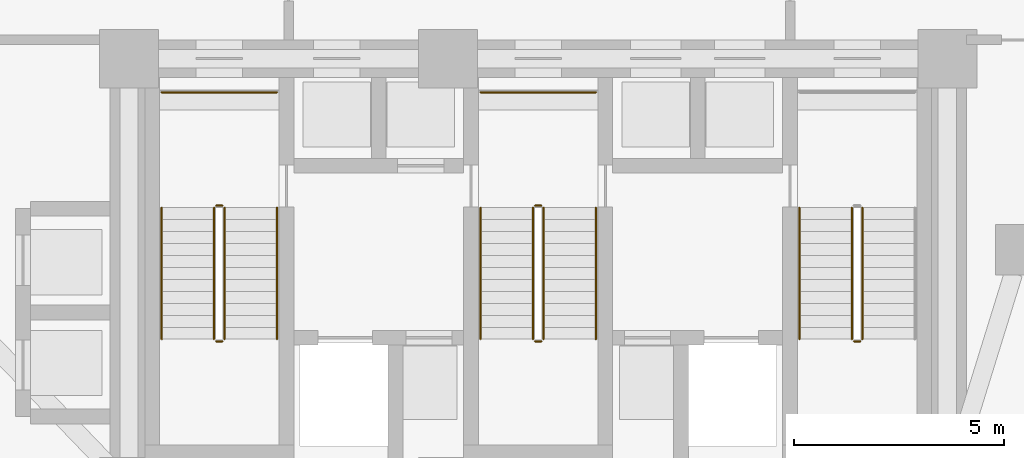
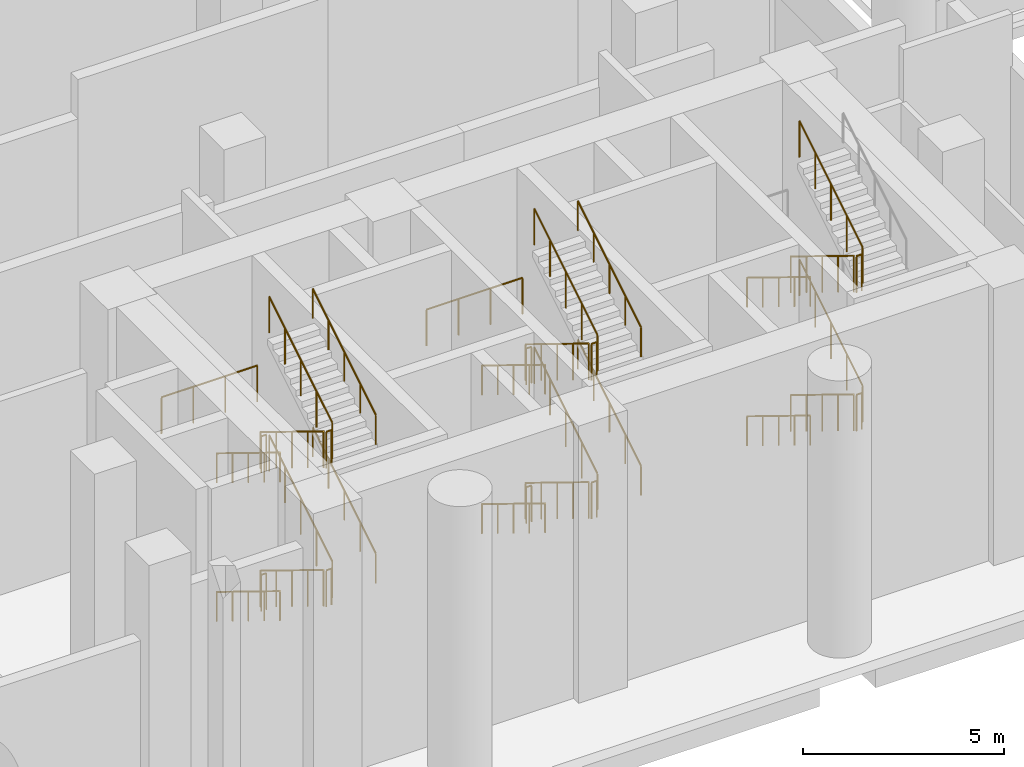
# One storey, part 9 of 12: 34 railings.
"""IFC4 building model written with IfcOpenShell, lengths in metres."""

from ifc_helpers import new_model, si_unit, direction, frame, origin, origin_2d, place, context, subcontext, project, spatial, circle, extrude, material, type_object, element, save


model = new_model("IFC4")

# Units and contexts
model_context = context("Model", 3, precision=1e-05, world=origin(), true_north=direction((0.0, 1.0)))
body_context = subcontext(model_context, "Body", "Model", "MODEL_VIEW")
ifc_project = project(units=[si_unit("LENGTHUNIT", "METRE"), si_unit("AREAUNIT", "SQUARE_METRE"), si_unit("VOLUMEUNIT", "CUBIC_METRE"), si_unit("PLANEANGLEUNIT", "RADIAN"), si_unit("MASSUNIT", "GRAM", prefix="KILO")], contexts=[model_context])

# Site, building, storey
site_placement = place(None, origin())
site = spatial("IfcSite", under=ifc_project, at=site_placement, CompositionType="ELEMENT")
building_placement = place(site_placement, origin())
building = spatial("IfcBuilding", under=site, at=building_placement, Name="Almagre Mirador Tower", CompositionType="ELEMENT")
storey_placement = place(building_placement, origin())
storey = spatial("IfcBuildingStorey", under=building, at=storey_placement, Name="L00", CompositionType="ELEMENT", Elevation=0.0)

# Railings
ifc_material_1 = material(Name="Painted galvanized steel", Category="steel")
railing_type_1 = type_object("IfcRailingType", Name="RLG-GRD-1100", PredefinedType="GUARDRAIL", material=ifc_material_1)
railing_1_placement = place(storey_placement, frame((29.574951171875, 11.199951171875, 0.175048828125)))
element("IfcRailing", 1, at=railing_1_placement, inside=storey, type_object=railing_type_1, Name="L00 ST-1 stair guard 1", PredefinedType="GUARDRAIL", context=body_context, shape_type="SweptSolid", body=[
    extrude(circle(Radius=0.02392578125, at=origin_2d()), frame((0.0, 0.0, 1.09619140625), z_axis=(0.0, -0.852166034122, 0.523271488128), x_axis=(1.0, 0.0, 0.0)), (0.0, 0.0, 1.0), 3.678955078125),
    extrude(circle(Radius=0.02099609375, at=origin_2d()), origin(), (0.0, 0.0, 1.0), 1.072021484375),
    extrude(circle(Radius=0.02099609375, at=origin_2d()), frame((0.0, -0.78369140625, 0.481201171875)), (0.0, 0.0, 1.0), 1.072021484375),
    extrude(circle(Radius=0.02099609375, at=origin_2d()), frame((0.0, -1.5673828125, 0.96240234375)), (0.0, 0.0, 1.0), 1.072021484375),
    extrude(circle(Radius=0.02099609375, at=origin_2d()), frame((0.0, -2.351318359375, 1.44384765625)), (0.0, 0.0, 1.0), 1.072021484375),
    extrude(circle(Radius=0.02099609375, at=origin_2d()), frame((0.0, -3.135009765625, 1.925048828125)), (0.0, 0.0, 1.0), 1.072021484375),
])
railing_2_placement = place(storey_placement, frame((29.625, 8.014892578125, 2.10009765625)))
element("IfcRailing", 2, at=railing_2_placement, inside=storey, type_object=railing_type_1, Name="L00 ST-1 stair guard 2", PredefinedType="GUARDRAIL", context=body_context, shape_type="SweptSolid", body=[
    extrude(circle(Radius=0.02392578125, at=origin_2d()), frame((0.0, 0.0, 1.09619140625), z_axis=(1.0, 0.0, 0.0), x_axis=(0.0, 1.0, 0.0)), (0.0, 0.0, 1.0), 0.14990234375),
    extrude(circle(Radius=0.02099609375, at=origin_2d()), origin(), (0.0, 0.0, 1.0), 1.072021484375),
    extrude(circle(Radius=0.02099609375, at=origin_2d()), frame((0.14990234375, 0.0, 0.0)), (0.0, 0.0, 1.0), 1.072021484375),
])
railing_3_placement = place(storey_placement, frame((29.824951171875, 8.06494140625, 2.27490234375)))
element("IfcRailing", 3, at=railing_3_placement, inside=storey, type_object=railing_type_1, Name="L00 ST-1 stair guard 3", PredefinedType="GUARDRAIL", context=body_context, shape_type="SweptSolid", body=[
    extrude(circle(Radius=0.02392578125, at=origin_2d()), frame((0.0, 0.0, 1.09619140625), z_axis=(0.0, 0.852166034122, 0.523271488128), x_axis=(-1.0, 0.0, 0.0)), (0.0, 0.0, 1.0), 3.678955078125),
    extrude(circle(Radius=0.02099609375, at=origin_2d()), origin(), (0.0, 0.0, 1.0), 1.072021484375),
    extrude(circle(Radius=0.02099609375, at=origin_2d()), frame((0.0, 0.78369140625, 0.481201171875)), (0.0, 0.0, 1.0), 1.072021484375),
    extrude(circle(Radius=0.02099609375, at=origin_2d()), frame((0.0, 1.5673828125, 0.96240234375)), (0.0, 0.0, 1.0), 1.072021484375),
    extrude(circle(Radius=0.02099609375, at=origin_2d()), frame((0.0, 2.351318359375, 1.44384765625)), (0.0, 0.0, 1.0), 1.072021484375),
    extrude(circle(Radius=0.02099609375, at=origin_2d()), frame((0.0, 3.135009765625, 1.925048828125)), (0.0, 0.0, 1.0), 1.072021484375),
])
railing_4_placement = place(storey_placement, frame((29.625, 11.25, 4.199951171875)))
element("IfcRailing", 4, at=railing_4_placement, inside=storey, type_object=railing_type_1, Name="L00 ST-1 stair guard 4", PredefinedType="GUARDRAIL", context=body_context, shape_type="SweptSolid", body=[
    extrude(circle(Radius=0.02392578125, at=origin_2d()), frame((0.0, 0.0, 1.09619140625), z_axis=(1.0, 0.0, 0.0), x_axis=(0.0, 1.0, 0.0)), (0.0, 0.0, 1.0), 0.14990234375),
    extrude(circle(Radius=0.02099609375, at=origin_2d()), origin(), (0.0, 0.0, 1.0), 1.072021484375),
    extrude(circle(Radius=0.02099609375, at=origin_2d()), frame((0.14990234375, 0.0, 0.0)), (0.0, 0.0, 1.0), 1.072021484375),
])
railing_5_placement = place(storey_placement, frame((29.574951171875, 11.199951171875, 4.375)))
element("IfcRailing", 5, at=railing_5_placement, inside=storey, type_object=railing_type_1, Name="L00 ST-1 stair guard 5", PredefinedType="GUARDRAIL", context=body_context, shape_type="SweptSolid", body=[
    extrude(circle(Radius=0.02392578125, at=origin_2d()), frame((0.0, 0.0, 1.09619140625), z_axis=(0.0, -0.852166034122, 0.523271488128), x_axis=(1.0, 0.0, 0.0)), (0.0, 0.0, 1.0), 3.678955078125),
    extrude(circle(Radius=0.02099609375, at=origin_2d()), origin(), (0.0, 0.0, 1.0), 1.072021484375),
    extrude(circle(Radius=0.02099609375, at=origin_2d()), frame((0.0, -0.78369140625, 0.481201171875)), (0.0, 0.0, 1.0), 1.072021484375),
    extrude(circle(Radius=0.02099609375, at=origin_2d()), frame((0.0, -1.5673828125, 0.96240234375)), (0.0, 0.0, 1.0), 1.072021484375),
    extrude(circle(Radius=0.02099609375, at=origin_2d()), frame((0.0, -2.351318359375, 1.44384765625)), (0.0, 0.0, 1.0), 1.072021484375),
    extrude(circle(Radius=0.02099609375, at=origin_2d()), frame((0.0, -3.135009765625, 1.925048828125)), (0.0, 0.0, 1.0), 1.072021484375),
])
railing_6_placement = place(storey_placement, frame((29.625, 8.014892578125, 6.300048828125)))
element("IfcRailing", 6, at=railing_6_placement, inside=storey, type_object=railing_type_1, Name="L00 ST-1 stair guard 6", PredefinedType="GUARDRAIL", context=body_context, shape_type="SweptSolid", body=[
    extrude(circle(Radius=0.02392578125, at=origin_2d()), frame((0.0, 0.0, 1.09619140625), z_axis=(1.0, 0.0, 0.0), x_axis=(0.0, 1.0, 0.0)), (0.0, 0.0, 1.0), 0.14990234375),
    extrude(circle(Radius=0.02099609375, at=origin_2d()), origin(), (0.0, 0.0, 1.0), 1.072021484375),
    extrude(circle(Radius=0.02099609375, at=origin_2d()), frame((0.14990234375, 0.0, 0.0)), (0.0, 0.0, 1.0), 1.072021484375),
])
railing_7_placement = place(storey_placement, frame((29.824951171875, 8.06494140625, 6.47509765625)))
element("IfcRailing", 7, at=railing_7_placement, inside=storey, type_object=railing_type_1, Name="L00 ST-1 stair guard 7", PredefinedType="GUARDRAIL", context=body_context, shape_type="SweptSolid", body=[
    extrude(circle(Radius=0.02392578125, at=origin_2d()), frame((0.0, 0.0, 1.09619140625), z_axis=(0.0, 0.852195625947, 0.523223293744), x_axis=(-1.0, 0.0, 0.0)), (0.0, 0.0, 1.0), 3.6787109375),
    extrude(circle(Radius=0.02099609375, at=origin_2d()), origin(), (0.0, 0.0, 1.0), 1.072021484375),
    extrude(circle(Radius=0.02099609375, at=origin_2d()), frame((0.0, 0.78369140625, 0.481201171875)), (0.0, 0.0, 1.0), 1.072021484375),
    extrude(circle(Radius=0.02099609375, at=origin_2d()), frame((0.0, 1.5673828125, 0.96240234375)), (0.0, 0.0, 1.0), 1.072021484375),
    extrude(circle(Radius=0.02099609375, at=origin_2d()), frame((0.0, 2.351318359375, 1.443603515625)), (0.0, 0.0, 1.0), 1.072021484375),
    extrude(circle(Radius=0.02099609375, at=origin_2d()), frame((0.0, 3.135009765625, 1.9248046875)), (0.0, 0.0, 1.0), 1.072021484375),
])
railing_8_placement = place(storey_placement, frame((29.625, 11.25, 0.0)))
element("IfcRailing", 8, at=railing_8_placement, inside=storey, type_object=railing_type_1, Name="L00 ST-1 stair guard 8", PredefinedType="GUARDRAIL", context=body_context, shape_type="SweptSolid", body=[
    extrude(circle(Radius=0.02392578125, at=origin_2d()), frame((0.0, 0.0, 1.09619140625), z_axis=(1.0, 0.0, 0.0), x_axis=(0.0, 1.0, 0.0)), (0.0, 0.0, 1.0), 0.14990234375),
    extrude(circle(Radius=0.02099609375, at=origin_2d()), origin(), (0.0, 0.0, 1.0), 1.072021484375),
    extrude(circle(Radius=0.02099609375, at=origin_2d()), frame((0.14990234375, 0.0, 0.0)), (0.0, 0.0, 1.0), 1.072021484375),
])
railing_9_placement = place(storey_placement, frame((28.324951171875, 13.949951171875, 4.199951171875)))
element("IfcRailing", 9, at=railing_9_placement, inside=storey, type_object=railing_type_1, Name="L00 ST-1 mid-landing slot guard 2", PredefinedType="GUARDRAIL", context=body_context, shape_type="SweptSolid", body=[
    extrude(circle(Radius=0.02392578125, at=origin_2d()), frame((0.0, 0.0, 1.09619140625), z_axis=(1.0, 0.0, 0.0), x_axis=(0.0, 1.0, 0.0)), (0.0, 0.0, 1.0), 2.75),
    extrude(circle(Radius=0.02099609375, at=origin_2d()), origin(), (0.0, 0.0, 1.0), 1.072021484375),
    extrude(circle(Radius=0.02099609375, at=origin_2d()), frame((0.916748046875, 0.0, 0.0)), (0.0, 0.0, 1.0), 1.072021484375),
    extrude(circle(Radius=0.02099609375, at=origin_2d()), frame((1.833251953125, 0.0, 0.0)), (0.0, 0.0, 1.0), 1.072021484375),
    extrude(circle(Radius=0.02099609375, at=origin_2d()), frame((2.75, 0.0, 0.0)), (0.0, 0.0, 1.0), 1.072021484375),
])
railing_10_placement = place(storey_placement, frame((37.175048828125, 11.199951171875, 0.175048828125)))
element("IfcRailing", 10, at=railing_10_placement, inside=storey, type_object=railing_type_1, Name="L00 ST-2 stair guard 1", PredefinedType="GUARDRAIL", context=body_context, shape_type="SweptSolid", body=[
    extrude(circle(Radius=0.02392578125, at=origin_2d()), frame((0.0, 0.0, 1.09619140625), z_axis=(0.0, -0.852166034122, 0.523271488128), x_axis=(1.0, 0.0, 0.0)), (0.0, 0.0, 1.0), 3.678955078125),
    extrude(circle(Radius=0.02099609375, at=origin_2d()), origin(), (0.0, 0.0, 1.0), 1.072021484375),
    extrude(circle(Radius=0.02099609375, at=origin_2d()), frame((0.0, -0.78369140625, 0.481201171875)), (0.0, 0.0, 1.0), 1.072021484375),
    extrude(circle(Radius=0.02099609375, at=origin_2d()), frame((0.0, -1.5673828125, 0.96240234375)), (0.0, 0.0, 1.0), 1.072021484375),
    extrude(circle(Radius=0.02099609375, at=origin_2d()), frame((0.0, -2.351318359375, 1.44384765625)), (0.0, 0.0, 1.0), 1.072021484375),
    extrude(circle(Radius=0.02099609375, at=origin_2d()), frame((0.0, -3.135009765625, 1.925048828125)), (0.0, 0.0, 1.0), 1.072021484375),
])
railing_11_placement = place(storey_placement, frame((37.22509765625, 8.014892578125, 2.10009765625)))
element("IfcRailing", 11, at=railing_11_placement, inside=storey, type_object=railing_type_1, Name="L00 ST-2 stair guard 2", PredefinedType="GUARDRAIL", context=body_context, shape_type="SweptSolid", body=[
    extrude(circle(Radius=0.02392578125, at=origin_2d()), frame((0.0, 0.0, 1.09619140625), z_axis=(1.0, 0.0, 0.0), x_axis=(0.0, 1.0, 0.0)), (0.0, 0.0, 1.0), 0.14990234375),
    extrude(circle(Radius=0.02099609375, at=origin_2d()), origin(), (0.0, 0.0, 1.0), 1.072021484375),
    extrude(circle(Radius=0.02099609375, at=origin_2d()), frame((0.14990234375, 0.0, 0.0)), (0.0, 0.0, 1.0), 1.072021484375),
])
railing_12_placement = place(storey_placement, frame((37.425048828125, 8.06494140625, 2.27490234375)))
element("IfcRailing", 12, at=railing_12_placement, inside=storey, type_object=railing_type_1, Name="L00 ST-2 stair guard 3", PredefinedType="GUARDRAIL", context=body_context, shape_type="SweptSolid", body=[
    extrude(circle(Radius=0.02392578125, at=origin_2d()), frame((0.0, 0.0, 1.09619140625), z_axis=(0.0, 0.852166034122, 0.523271488128), x_axis=(-1.0, 0.0, 0.0)), (0.0, 0.0, 1.0), 3.678955078125),
    extrude(circle(Radius=0.02099609375, at=origin_2d()), origin(), (0.0, 0.0, 1.0), 1.072021484375),
    extrude(circle(Radius=0.02099609375, at=origin_2d()), frame((0.0, 0.78369140625, 0.481201171875)), (0.0, 0.0, 1.0), 1.072021484375),
    extrude(circle(Radius=0.02099609375, at=origin_2d()), frame((0.0, 1.5673828125, 0.96240234375)), (0.0, 0.0, 1.0), 1.072021484375),
    extrude(circle(Radius=0.02099609375, at=origin_2d()), frame((0.0, 2.351318359375, 1.44384765625)), (0.0, 0.0, 1.0), 1.072021484375),
    extrude(circle(Radius=0.02099609375, at=origin_2d()), frame((0.0, 3.135009765625, 1.925048828125)), (0.0, 0.0, 1.0), 1.072021484375),
])
railing_13_placement = place(storey_placement, frame((37.22509765625, 11.25, 4.199951171875)))
element("IfcRailing", 13, at=railing_13_placement, inside=storey, type_object=railing_type_1, Name="L00 ST-2 stair guard 4", PredefinedType="GUARDRAIL", context=body_context, shape_type="SweptSolid", body=[
    extrude(circle(Radius=0.02392578125, at=origin_2d()), frame((0.0, 0.0, 1.09619140625), z_axis=(1.0, 0.0, 0.0), x_axis=(0.0, 1.0, 0.0)), (0.0, 0.0, 1.0), 0.14990234375),
    extrude(circle(Radius=0.02099609375, at=origin_2d()), origin(), (0.0, 0.0, 1.0), 1.072021484375),
    extrude(circle(Radius=0.02099609375, at=origin_2d()), frame((0.14990234375, 0.0, 0.0)), (0.0, 0.0, 1.0), 1.072021484375),
])
railing_14_placement = place(storey_placement, frame((37.175048828125, 11.199951171875, 4.375)))
element("IfcRailing", 14, at=railing_14_placement, inside=storey, type_object=railing_type_1, Name="L00 ST-2 stair guard 5", PredefinedType="GUARDRAIL", context=body_context, shape_type="SweptSolid", body=[
    extrude(circle(Radius=0.02392578125, at=origin_2d()), frame((0.0, 0.0, 1.09619140625), z_axis=(0.0, -0.852166034122, 0.523271488128), x_axis=(1.0, 0.0, 0.0)), (0.0, 0.0, 1.0), 3.678955078125),
    extrude(circle(Radius=0.02099609375, at=origin_2d()), origin(), (0.0, 0.0, 1.0), 1.072021484375),
    extrude(circle(Radius=0.02099609375, at=origin_2d()), frame((0.0, -0.78369140625, 0.481201171875)), (0.0, 0.0, 1.0), 1.072021484375),
    extrude(circle(Radius=0.02099609375, at=origin_2d()), frame((0.0, -1.5673828125, 0.96240234375)), (0.0, 0.0, 1.0), 1.072021484375),
    extrude(circle(Radius=0.02099609375, at=origin_2d()), frame((0.0, -2.351318359375, 1.44384765625)), (0.0, 0.0, 1.0), 1.072021484375),
    extrude(circle(Radius=0.02099609375, at=origin_2d()), frame((0.0, -3.135009765625, 1.925048828125)), (0.0, 0.0, 1.0), 1.072021484375),
])
railing_15_placement = place(storey_placement, frame((37.22509765625, 8.014892578125, 6.300048828125)))
element("IfcRailing", 15, at=railing_15_placement, inside=storey, type_object=railing_type_1, Name="L00 ST-2 stair guard 6", PredefinedType="GUARDRAIL", context=body_context, shape_type="SweptSolid", body=[
    extrude(circle(Radius=0.02392578125, at=origin_2d()), frame((0.0, 0.0, 1.09619140625), z_axis=(1.0, 0.0, 0.0), x_axis=(0.0, 1.0, 0.0)), (0.0, 0.0, 1.0), 0.14990234375),
    extrude(circle(Radius=0.02099609375, at=origin_2d()), origin(), (0.0, 0.0, 1.0), 1.072021484375),
    extrude(circle(Radius=0.02099609375, at=origin_2d()), frame((0.14990234375, 0.0, 0.0)), (0.0, 0.0, 1.0), 1.072021484375),
])
railing_16_placement = place(storey_placement, frame((37.425048828125, 8.06494140625, 6.47509765625)))
element("IfcRailing", 16, at=railing_16_placement, inside=storey, type_object=railing_type_1, Name="L00 ST-2 stair guard 7", PredefinedType="GUARDRAIL", context=body_context, shape_type="SweptSolid", body=[
    extrude(circle(Radius=0.02392578125, at=origin_2d()), frame((0.0, 0.0, 1.09619140625), z_axis=(0.0, 0.852195625947, 0.523223293744), x_axis=(-1.0, 0.0, 0.0)), (0.0, 0.0, 1.0), 3.6787109375),
    extrude(circle(Radius=0.02099609375, at=origin_2d()), origin(), (0.0, 0.0, 1.0), 1.072021484375),
    extrude(circle(Radius=0.02099609375, at=origin_2d()), frame((0.0, 0.78369140625, 0.481201171875)), (0.0, 0.0, 1.0), 1.072021484375),
    extrude(circle(Radius=0.02099609375, at=origin_2d()), frame((0.0, 1.5673828125, 0.96240234375)), (0.0, 0.0, 1.0), 1.072021484375),
    extrude(circle(Radius=0.02099609375, at=origin_2d()), frame((0.0, 2.351318359375, 1.443603515625)), (0.0, 0.0, 1.0), 1.072021484375),
    extrude(circle(Radius=0.02099609375, at=origin_2d()), frame((0.0, 3.135009765625, 1.9248046875)), (0.0, 0.0, 1.0), 1.072021484375),
])
railing_17_placement = place(storey_placement, frame((37.22509765625, 11.25, 0.0)))
element("IfcRailing", 17, at=railing_17_placement, inside=storey, type_object=railing_type_1, Name="L00 ST-2 stair guard 8", PredefinedType="GUARDRAIL", context=body_context, shape_type="SweptSolid", body=[
    extrude(circle(Radius=0.02392578125, at=origin_2d()), frame((0.0, 0.0, 1.09619140625), z_axis=(1.0, 0.0, 0.0), x_axis=(0.0, 1.0, 0.0)), (0.0, 0.0, 1.0), 0.14990234375),
    extrude(circle(Radius=0.02099609375, at=origin_2d()), origin(), (0.0, 0.0, 1.0), 1.072021484375),
    extrude(circle(Radius=0.02099609375, at=origin_2d()), frame((0.14990234375, 0.0, 0.0)), (0.0, 0.0, 1.0), 1.072021484375),
])
railing_18_placement = place(storey_placement, frame((35.925048828125, 13.949951171875, 4.199951171875)))
element("IfcRailing", 18, at=railing_18_placement, inside=storey, type_object=railing_type_1, Name="L00 ST-2 mid-landing slot guard 2", PredefinedType="GUARDRAIL", context=body_context, shape_type="SweptSolid", body=[
    extrude(circle(Radius=0.02392578125, at=origin_2d()), frame((0.0, 0.0, 1.09619140625), z_axis=(1.0, 0.0, 0.0), x_axis=(0.0, 1.0, 0.0)), (0.0, 0.0, 1.0), 2.75),
    extrude(circle(Radius=0.02099609375, at=origin_2d()), origin(), (0.0, 0.0, 1.0), 1.072021484375),
    extrude(circle(Radius=0.02099609375, at=origin_2d()), frame((0.916748046875, 0.0, 0.0)), (0.0, 0.0, 1.0), 1.072021484375),
    extrude(circle(Radius=0.02099609375, at=origin_2d()), frame((1.833251953125, 0.0, 0.0)), (0.0, 0.0, 1.0), 1.072021484375),
    extrude(circle(Radius=0.02099609375, at=origin_2d()), frame((2.75, 0.0, 0.0)), (0.0, 0.0, 1.0), 1.072021484375),
])
railing_19_placement = place(storey_placement, frame((44.77490234375, 11.199951171875, 0.175048828125)))
element("IfcRailing", 19, at=railing_19_placement, inside=storey, type_object=railing_type_1, Name="L00 ST-3 stair guard 1", PredefinedType="GUARDRAIL", context=body_context, shape_type="SweptSolid", body=[
    extrude(circle(Radius=0.02392578125, at=origin_2d()), frame((0.0, 0.0, 1.09619140625), z_axis=(0.0, -0.852166034122, 0.523271488128), x_axis=(1.0, 0.0, 0.0)), (0.0, 0.0, 1.0), 3.678955078125),
    extrude(circle(Radius=0.02099609375, at=origin_2d()), origin(), (0.0, 0.0, 1.0), 1.072021484375),
    extrude(circle(Radius=0.02099609375, at=origin_2d()), frame((0.0, -0.78369140625, 0.481201171875)), (0.0, 0.0, 1.0), 1.072021484375),
    extrude(circle(Radius=0.02099609375, at=origin_2d()), frame((0.0, -1.5673828125, 0.96240234375)), (0.0, 0.0, 1.0), 1.072021484375),
    extrude(circle(Radius=0.02099609375, at=origin_2d()), frame((0.0, -2.351318359375, 1.44384765625)), (0.0, 0.0, 1.0), 1.072021484375),
    extrude(circle(Radius=0.02099609375, at=origin_2d()), frame((0.0, -3.135009765625, 1.925048828125)), (0.0, 0.0, 1.0), 1.072021484375),
])
railing_20_placement = place(storey_placement, frame((44.824951171875, 8.014892578125, 2.10009765625)))
element("IfcRailing", 20, at=railing_20_placement, inside=storey, type_object=railing_type_1, Name="L00 ST-3 stair guard 2", PredefinedType="GUARDRAIL", context=body_context, shape_type="SweptSolid", body=[
    extrude(circle(Radius=0.02392578125, at=origin_2d()), frame((0.0, 0.0, 1.09619140625), z_axis=(1.0, 0.0, 0.0), x_axis=(0.0, 1.0, 0.0)), (0.0, 0.0, 1.0), 0.150146484375),
    extrude(circle(Radius=0.02099609375, at=origin_2d()), origin(), (0.0, 0.0, 1.0), 1.072021484375),
    extrude(circle(Radius=0.02099609375, at=origin_2d()), frame((0.150146484375, 0.0, 0.0)), (0.0, 0.0, 1.0), 1.072021484375),
])
railing_21_placement = place(storey_placement, frame((45.02490234375, 8.06494140625, 2.27490234375)))
element("IfcRailing", 21, at=railing_21_placement, inside=storey, type_object=railing_type_1, Name="L00 ST-3 stair guard 3", PredefinedType="GUARDRAIL", context=body_context, shape_type="SweptSolid", body=[
    extrude(circle(Radius=0.02392578125, at=origin_2d()), frame((0.0, 0.0, 1.09619140625), z_axis=(0.0, 0.852166034122, 0.523271488128), x_axis=(-1.0, 0.0, 0.0)), (0.0, 0.0, 1.0), 3.678955078125),
    extrude(circle(Radius=0.02099609375, at=origin_2d()), origin(), (0.0, 0.0, 1.0), 1.072021484375),
    extrude(circle(Radius=0.02099609375, at=origin_2d()), frame((0.0, 0.78369140625, 0.481201171875)), (0.0, 0.0, 1.0), 1.072021484375),
    extrude(circle(Radius=0.02099609375, at=origin_2d()), frame((0.0, 1.5673828125, 0.96240234375)), (0.0, 0.0, 1.0), 1.072021484375),
    extrude(circle(Radius=0.02099609375, at=origin_2d()), frame((0.0, 2.351318359375, 1.44384765625)), (0.0, 0.0, 1.0), 1.072021484375),
    extrude(circle(Radius=0.02099609375, at=origin_2d()), frame((0.0, 3.135009765625, 1.925048828125)), (0.0, 0.0, 1.0), 1.072021484375),
])
railing_22_placement = place(storey_placement, frame((44.77490234375, 11.199951171875, 4.375)))
element("IfcRailing", 22, at=railing_22_placement, inside=storey, type_object=railing_type_1, Name="L00 ST-3 stair guard 5", PredefinedType="GUARDRAIL", context=body_context, shape_type="SweptSolid", body=[
    extrude(circle(Radius=0.02392578125, at=origin_2d()), frame((0.0, 0.0, 1.09619140625), z_axis=(0.0, -0.852166034122, 0.523271488128), x_axis=(1.0, 0.0, 0.0)), (0.0, 0.0, 1.0), 3.678955078125),
    extrude(circle(Radius=0.02099609375, at=origin_2d()), origin(), (0.0, 0.0, 1.0), 1.072021484375),
    extrude(circle(Radius=0.02099609375, at=origin_2d()), frame((0.0, -0.78369140625, 0.481201171875)), (0.0, 0.0, 1.0), 1.072021484375),
    extrude(circle(Radius=0.02099609375, at=origin_2d()), frame((0.0, -1.5673828125, 0.96240234375)), (0.0, 0.0, 1.0), 1.072021484375),
    extrude(circle(Radius=0.02099609375, at=origin_2d()), frame((0.0, -2.351318359375, 1.44384765625)), (0.0, 0.0, 1.0), 1.072021484375),
    extrude(circle(Radius=0.02099609375, at=origin_2d()), frame((0.0, -3.135009765625, 1.925048828125)), (0.0, 0.0, 1.0), 1.072021484375),
])
railing_23_placement = place(storey_placement, frame((44.824951171875, 8.014892578125, 6.300048828125)))
element("IfcRailing", 23, at=railing_23_placement, inside=storey, type_object=railing_type_1, Name="L00 ST-3 stair guard 6", PredefinedType="GUARDRAIL", context=body_context, shape_type="SweptSolid", body=[
    extrude(circle(Radius=0.02392578125, at=origin_2d()), frame((0.0, 0.0, 1.09619140625), z_axis=(1.0, 0.0, 0.0), x_axis=(0.0, 1.0, 0.0)), (0.0, 0.0, 1.0), 0.150146484375),
    extrude(circle(Radius=0.02099609375, at=origin_2d()), origin(), (0.0, 0.0, 1.0), 1.072021484375),
    extrude(circle(Radius=0.02099609375, at=origin_2d()), frame((0.150146484375, 0.0, 0.0)), (0.0, 0.0, 1.0), 1.072021484375),
])
railing_24_placement = place(storey_placement, frame((45.02490234375, 8.06494140625, 6.47509765625)))
element("IfcRailing", 24, at=railing_24_placement, inside=storey, type_object=railing_type_1, Name="L00 ST-3 stair guard 7", PredefinedType="GUARDRAIL", context=body_context, shape_type="SweptSolid", body=[
    extrude(circle(Radius=0.02392578125, at=origin_2d()), frame((0.0, 0.0, 1.09619140625), z_axis=(0.0, 0.852195625947, 0.523223293744), x_axis=(-1.0, 0.0, 0.0)), (0.0, 0.0, 1.0), 3.6787109375),
    extrude(circle(Radius=0.02099609375, at=origin_2d()), origin(), (0.0, 0.0, 1.0), 1.072021484375),
    extrude(circle(Radius=0.02099609375, at=origin_2d()), frame((0.0, 0.78369140625, 0.481201171875)), (0.0, 0.0, 1.0), 1.072021484375),
    extrude(circle(Radius=0.02099609375, at=origin_2d()), frame((0.0, 1.5673828125, 0.96240234375)), (0.0, 0.0, 1.0), 1.072021484375),
    extrude(circle(Radius=0.02099609375, at=origin_2d()), frame((0.0, 2.351318359375, 1.443603515625)), (0.0, 0.0, 1.0), 1.072021484375),
    extrude(circle(Radius=0.02099609375, at=origin_2d()), frame((0.0, 3.135009765625, 1.9248046875)), (0.0, 0.0, 1.0), 1.072021484375),
])
ifc_material_2 = material(Name="Brushed stainless steel", Category="steel")
railing_type_2 = type_object("IfcRailingType", Name="RLG-HND-915", PredefinedType="HANDRAIL", material=ifc_material_2)
railing_25_placement = place(storey_placement, frame((28.324951171875, 11.199951171875, 0.175048828125)))
element("IfcRailing", 25, at=railing_25_placement, inside=storey, type_object=railing_type_2, Name="L00 ST-1 stair handrail 1", PredefinedType="HANDRAIL", context=body_context, shape_type="SweptSolid", body=[
    extrude(circle(Radius=0.02392578125, at=origin_2d()), frame((0.0, 0.0, 0.89111328125), z_axis=(0.0, -0.852166034122, 0.523271488128), x_axis=(1.0, 0.0, 0.0)), (0.0, 0.0, 1.0), 3.678955078125),
    extrude(circle(Radius=0.02099609375, at=origin_2d()), origin(), (0.0, 0.0, 1.0), 0.866943359375),
    extrude(circle(Radius=0.02099609375, at=origin_2d()), frame((0.0, -0.78369140625, 0.481201171875)), (0.0, 0.0, 1.0), 0.866943359375),
    extrude(circle(Radius=0.02099609375, at=origin_2d()), frame((0.0, -1.5673828125, 0.96240234375)), (0.0, 0.0, 1.0), 0.866943359375),
    extrude(circle(Radius=0.02099609375, at=origin_2d()), frame((0.0, -2.351318359375, 1.44384765625)), (0.0, 0.0, 1.0), 0.866943359375),
    extrude(circle(Radius=0.02099609375, at=origin_2d()), frame((0.0, -3.135009765625, 1.925048828125)), (0.0, 0.0, 1.0), 0.866943359375),
])
railing_26_placement = place(storey_placement, frame((31.074951171875, 8.06494140625, 2.27490234375)))
element("IfcRailing", 26, at=railing_26_placement, inside=storey, type_object=railing_type_2, Name="L00 ST-1 stair handrail 2", PredefinedType="HANDRAIL", context=body_context, shape_type="SweptSolid", body=[
    extrude(circle(Radius=0.02392578125, at=origin_2d()), frame((0.0, 0.0, 0.89111328125), z_axis=(0.0, 0.852166034122, 0.523271488128), x_axis=(-1.0, 0.0, 0.0)), (0.0, 0.0, 1.0), 3.678955078125),
    extrude(circle(Radius=0.02099609375, at=origin_2d()), origin(), (0.0, 0.0, 1.0), 0.866943359375),
    extrude(circle(Radius=0.02099609375, at=origin_2d()), frame((0.0, 0.78369140625, 0.481201171875)), (0.0, 0.0, 1.0), 0.866943359375),
    extrude(circle(Radius=0.02099609375, at=origin_2d()), frame((0.0, 1.5673828125, 0.96240234375)), (0.0, 0.0, 1.0), 0.866943359375),
    extrude(circle(Radius=0.02099609375, at=origin_2d()), frame((0.0, 2.351318359375, 1.44384765625)), (0.0, 0.0, 1.0), 0.866943359375),
    extrude(circle(Radius=0.02099609375, at=origin_2d()), frame((0.0, 3.135009765625, 1.925048828125)), (0.0, 0.0, 1.0), 0.866943359375),
])
railing_27_placement = place(storey_placement, frame((28.324951171875, 11.199951171875, 4.375)))
element("IfcRailing", 27, at=railing_27_placement, inside=storey, type_object=railing_type_2, Name="L00 ST-1 stair handrail 3", PredefinedType="HANDRAIL", context=body_context, shape_type="SweptSolid", body=[
    extrude(circle(Radius=0.02392578125, at=origin_2d()), frame((0.0, 0.0, 0.89111328125), z_axis=(0.0, -0.852166034122, 0.523271488128), x_axis=(1.0, 0.0, 0.0)), (0.0, 0.0, 1.0), 3.678955078125),
    extrude(circle(Radius=0.02099609375, at=origin_2d()), origin(), (0.0, 0.0, 1.0), 0.866943359375),
    extrude(circle(Radius=0.02099609375, at=origin_2d()), frame((0.0, -0.78369140625, 0.481201171875)), (0.0, 0.0, 1.0), 0.866943359375),
    extrude(circle(Radius=0.02099609375, at=origin_2d()), frame((0.0, -1.5673828125, 0.96240234375)), (0.0, 0.0, 1.0), 0.866943359375),
    extrude(circle(Radius=0.02099609375, at=origin_2d()), frame((0.0, -2.351318359375, 1.44384765625)), (0.0, 0.0, 1.0), 0.866943359375),
    extrude(circle(Radius=0.02099609375, at=origin_2d()), frame((0.0, -3.135009765625, 1.925048828125)), (0.0, 0.0, 1.0), 0.866943359375),
])
railing_28_placement = place(storey_placement, frame((31.074951171875, 8.06494140625, 6.47509765625)))
element("IfcRailing", 28, at=railing_28_placement, inside=storey, type_object=railing_type_2, Name="L00 ST-1 stair handrail 4", PredefinedType="HANDRAIL", context=body_context, shape_type="SweptSolid", body=[
    extrude(circle(Radius=0.02392578125, at=origin_2d()), frame((0.0, 0.0, 0.89111328125), z_axis=(0.0, 0.852195625947, 0.523223293744), x_axis=(-1.0, 0.0, 0.0)), (0.0, 0.0, 1.0), 3.6787109375),
    extrude(circle(Radius=0.02099609375, at=origin_2d()), origin(), (0.0, 0.0, 1.0), 0.866943359375),
    extrude(circle(Radius=0.02099609375, at=origin_2d()), frame((0.0, 0.78369140625, 0.481201171875)), (0.0, 0.0, 1.0), 0.866943359375),
    extrude(circle(Radius=0.02099609375, at=origin_2d()), frame((0.0, 1.5673828125, 0.96240234375)), (0.0, 0.0, 1.0), 0.866943359375),
    extrude(circle(Radius=0.02099609375, at=origin_2d()), frame((0.0, 2.351318359375, 1.443603515625)), (0.0, 0.0, 1.0), 0.866943359375),
    extrude(circle(Radius=0.02099609375, at=origin_2d()), frame((0.0, 3.135009765625, 1.9248046875)), (0.0, 0.0, 1.0), 0.866943359375),
])
railing_29_placement = place(storey_placement, frame((35.925048828125, 11.199951171875, 0.175048828125)))
element("IfcRailing", 29, at=railing_29_placement, inside=storey, type_object=railing_type_2, Name="L00 ST-2 stair handrail 1", PredefinedType="HANDRAIL", context=body_context, shape_type="SweptSolid", body=[
    extrude(circle(Radius=0.02392578125, at=origin_2d()), frame((0.0, 0.0, 0.89111328125), z_axis=(0.0, -0.852166034122, 0.523271488128), x_axis=(1.0, 0.0, 0.0)), (0.0, 0.0, 1.0), 3.678955078125),
    extrude(circle(Radius=0.02099609375, at=origin_2d()), origin(), (0.0, 0.0, 1.0), 0.866943359375),
    extrude(circle(Radius=0.02099609375, at=origin_2d()), frame((0.0, -0.78369140625, 0.481201171875)), (0.0, 0.0, 1.0), 0.866943359375),
    extrude(circle(Radius=0.02099609375, at=origin_2d()), frame((0.0, -1.5673828125, 0.96240234375)), (0.0, 0.0, 1.0), 0.866943359375),
    extrude(circle(Radius=0.02099609375, at=origin_2d()), frame((0.0, -2.351318359375, 1.44384765625)), (0.0, 0.0, 1.0), 0.866943359375),
    extrude(circle(Radius=0.02099609375, at=origin_2d()), frame((0.0, -3.135009765625, 1.925048828125)), (0.0, 0.0, 1.0), 0.866943359375),
])
railing_30_placement = place(storey_placement, frame((38.675048828125, 8.06494140625, 2.27490234375)))
element("IfcRailing", 30, at=railing_30_placement, inside=storey, type_object=railing_type_2, Name="L00 ST-2 stair handrail 2", PredefinedType="HANDRAIL", context=body_context, shape_type="SweptSolid", body=[
    extrude(circle(Radius=0.02392578125, at=origin_2d()), frame((0.0, 0.0, 0.89111328125), z_axis=(0.0, 0.852166034122, 0.523271488128), x_axis=(-1.0, 0.0, 0.0)), (0.0, 0.0, 1.0), 3.678955078125),
    extrude(circle(Radius=0.02099609375, at=origin_2d()), origin(), (0.0, 0.0, 1.0), 0.866943359375),
    extrude(circle(Radius=0.02099609375, at=origin_2d()), frame((0.0, 0.78369140625, 0.481201171875)), (0.0, 0.0, 1.0), 0.866943359375),
    extrude(circle(Radius=0.02099609375, at=origin_2d()), frame((0.0, 1.5673828125, 0.96240234375)), (0.0, 0.0, 1.0), 0.866943359375),
    extrude(circle(Radius=0.02099609375, at=origin_2d()), frame((0.0, 2.351318359375, 1.44384765625)), (0.0, 0.0, 1.0), 0.866943359375),
    extrude(circle(Radius=0.02099609375, at=origin_2d()), frame((0.0, 3.135009765625, 1.925048828125)), (0.0, 0.0, 1.0), 0.866943359375),
])
railing_31_placement = place(storey_placement, frame((35.925048828125, 11.199951171875, 4.375)))
element("IfcRailing", 31, at=railing_31_placement, inside=storey, type_object=railing_type_2, Name="L00 ST-2 stair handrail 3", PredefinedType="HANDRAIL", context=body_context, shape_type="SweptSolid", body=[
    extrude(circle(Radius=0.02392578125, at=origin_2d()), frame((0.0, 0.0, 0.89111328125), z_axis=(0.0, -0.852166034122, 0.523271488128), x_axis=(1.0, 0.0, 0.0)), (0.0, 0.0, 1.0), 3.678955078125),
    extrude(circle(Radius=0.02099609375, at=origin_2d()), origin(), (0.0, 0.0, 1.0), 0.866943359375),
    extrude(circle(Radius=0.02099609375, at=origin_2d()), frame((0.0, -0.78369140625, 0.481201171875)), (0.0, 0.0, 1.0), 0.866943359375),
    extrude(circle(Radius=0.02099609375, at=origin_2d()), frame((0.0, -1.5673828125, 0.96240234375)), (0.0, 0.0, 1.0), 0.866943359375),
    extrude(circle(Radius=0.02099609375, at=origin_2d()), frame((0.0, -2.351318359375, 1.44384765625)), (0.0, 0.0, 1.0), 0.866943359375),
    extrude(circle(Radius=0.02099609375, at=origin_2d()), frame((0.0, -3.135009765625, 1.925048828125)), (0.0, 0.0, 1.0), 0.866943359375),
])
railing_32_placement = place(storey_placement, frame((38.675048828125, 8.06494140625, 6.47509765625)))
element("IfcRailing", 32, at=railing_32_placement, inside=storey, type_object=railing_type_2, Name="L00 ST-2 stair handrail 4", PredefinedType="HANDRAIL", context=body_context, shape_type="SweptSolid", body=[
    extrude(circle(Radius=0.02392578125, at=origin_2d()), frame((0.0, 0.0, 0.89111328125), z_axis=(0.0, 0.852195625947, 0.523223293744), x_axis=(-1.0, 0.0, 0.0)), (0.0, 0.0, 1.0), 3.6787109375),
    extrude(circle(Radius=0.02099609375, at=origin_2d()), origin(), (0.0, 0.0, 1.0), 0.866943359375),
    extrude(circle(Radius=0.02099609375, at=origin_2d()), frame((0.0, 0.78369140625, 0.481201171875)), (0.0, 0.0, 1.0), 0.866943359375),
    extrude(circle(Radius=0.02099609375, at=origin_2d()), frame((0.0, 1.5673828125, 0.96240234375)), (0.0, 0.0, 1.0), 0.866943359375),
    extrude(circle(Radius=0.02099609375, at=origin_2d()), frame((0.0, 2.351318359375, 1.443603515625)), (0.0, 0.0, 1.0), 0.866943359375),
    extrude(circle(Radius=0.02099609375, at=origin_2d()), frame((0.0, 3.135009765625, 1.9248046875)), (0.0, 0.0, 1.0), 0.866943359375),
])
for number, where, name in (
    (33, (43.52490234375, 11.199951171875, 0.175048828125), "L00 ST-3 stair handrail 1"),
    (34, (43.52490234375, 11.199951171875, 4.375), "L00 ST-3 stair handrail 3"),
):
    element("IfcRailing", number, at=place(storey_placement, frame(where)), inside=storey, type_object=railing_type_2, Name=name, PredefinedType="HANDRAIL", context=body_context, shape_type="SweptSolid", body=[
        extrude(circle(Radius=0.02392578125, at=origin_2d()), frame((0.0, 0.0, 0.89111328125), z_axis=(0.0, -0.852166034122, 0.523271488128), x_axis=(1.0, 0.0, 0.0)), (0.0, 0.0, 1.0), 3.678955078125),
        extrude(circle(Radius=0.02099609375, at=origin_2d()), origin(), (0.0, 0.0, 1.0), 0.866943359375),
        extrude(circle(Radius=0.02099609375, at=origin_2d()), frame((0.0, -0.78369140625, 0.481201171875)), (0.0, 0.0, 1.0), 0.866943359375),
        extrude(circle(Radius=0.02099609375, at=origin_2d()), frame((0.0, -1.5673828125, 0.96240234375)), (0.0, 0.0, 1.0), 0.866943359375),
        extrude(circle(Radius=0.02099609375, at=origin_2d()), frame((0.0, -2.351318359375, 1.44384765625)), (0.0, 0.0, 1.0), 0.866943359375),
        extrude(circle(Radius=0.02099609375, at=origin_2d()), frame((0.0, -3.135009765625, 1.925048828125)), (0.0, 0.0, 1.0), 0.866943359375),
    ])

save(model, "model.ifc")
